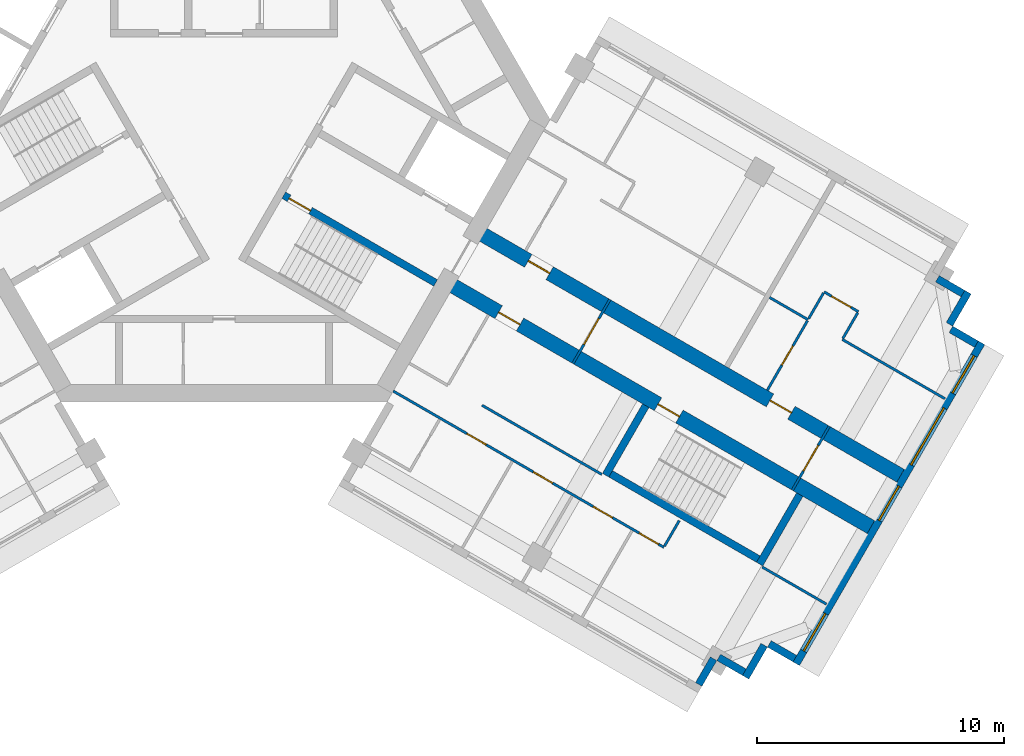
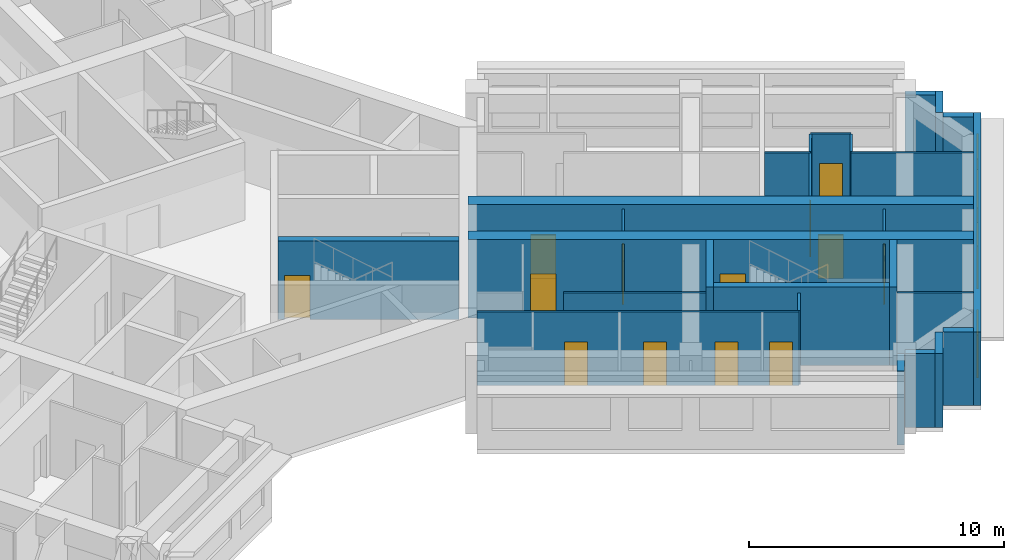
# One storey, part 5 of 10: 26 walls, 13 doors, 4 windows, 17 openings.
"""IFC4 building model written with IfcOpenShell, lengths in metres."""

from ifc_helpers import new_model, si_unit, direction, frame, frame_2d, origin, place, context, subcontext, project, spatial, rectangle, extrude, material, layer, layer_set, type_object, element, fill, save


model = new_model("IFC4")

# Units and contexts
model_context = context("Model", 3, precision=1e-05, world=origin(), true_north=direction((0.0, 1.0)))
body_context = subcontext(model_context, "Body", "Model", "MODEL_VIEW")
ifc_project = project(units=[si_unit("LENGTHUNIT", "METRE"), si_unit("AREAUNIT", "SQUARE_METRE"), si_unit("VOLUMEUNIT", "CUBIC_METRE"), si_unit("PLANEANGLEUNIT", "RADIAN"), si_unit("MASSUNIT", "GRAM", prefix="KILO")], contexts=[model_context])

# Site, building, storey
site_placement = place(None, origin())
site = spatial("IfcSite", under=ifc_project, at=site_placement, CompositionType="ELEMENT")
building_placement = place(site_placement, origin())
building = spatial("IfcBuilding", under=site, at=building_placement, Name="Impinga Residences", CompositionType="ELEMENT")
storey_placement = place(building_placement, frame((0.0, 0.0, 256.0)))
storey = spatial("IfcBuildingStorey", under=building, at=storey_placement, Name="L64", CompositionType="ELEMENT", Elevation=256.0)

# Wall, openings, doors
ifc_material_1 = material(Name="Concrete C60/75", Category="concrete")
ifc_layer_1 = layer(ifc_material_1, 0.60009765625)
ifc_layer_set_1 = layer_set([ifc_layer_1], Name="Concrete C60/75")
wall_type_1 = type_object("IfcWallType", Name="BW3 corridor buttress wall, L46 to L73 600", PredefinedType="SHEAR", material=ifc_layer_set_1)
wall_1_placement = place(storey_placement, frame((10.19677734375, -4.50146484375, 0.0), z_axis=(0.0, 0.0, 1.0), x_axis=(0.866025214745, -0.500000327426, 0.0)))
wall_1 = element("IfcWall", 1, at=wall_1_placement, inside=storey, type_object=wall_type_1, Name="Corridor wall BW3 EC L64", PredefinedType="SHEAR", context=body_context, shape_type="SweptSolid", body=[
    extrude(rectangle(XDim=19.85009765625, YDim=0.60009765625, at=frame_2d((9.925048828125, 0.0))), origin(), (0.0, 0.0, 1.0), 3.75),
])
opening_1_placement = place(wall_1_placement, frame((2.449951171875, 0.0, 0.0)))
opening_1 = element("IfcOpeningElement", 2, at=opening_1_placement, cuts=wall_1, Name="Opening D1", PredefinedType="OPENING", context=body_context, shape_type="SweptSolid", body=[
    extrude(rectangle(XDim=1.0, YDim=2.10009765625, at=frame_2d((0.5, 1.050048828125))), frame((0.0, 0.31005859375, 0.0), z_axis=(0.0, -1.0, 0.0), x_axis=(1.0, 0.0, 0.0)), (0.0, 0.0, 1.0), 0.6201171875),
])
opening_2_placement = place(wall_1_placement, frame((13.75, 0.0, 0.0)))
opening_2 = element("IfcOpeningElement", 3, at=opening_2_placement, cuts=wall_1, Name="Opening D1", PredefinedType="OPENING", context=body_context, shape_type="SweptSolid", body=[
    extrude(rectangle(XDim=1.0, YDim=2.10009765625, at=frame_2d((0.5, 1.050048828125))), frame((0.0, 0.31005859375, 0.0), z_axis=(0.0, -1.0, 0.0), x_axis=(1.0, 0.0, 0.0)), (0.0, 0.0, 1.0), 0.6201171875),
])
ifc_material_2 = material(Name="Timber door set", Category="wood")
door_type_1 = type_object("IfcDoorType", Name="D1 apartment entrance door 1000x2100", OperationType="SINGLE_SWING_LEFT", PredefinedType="DOOR", material=ifc_material_2)
door_1_placement = place(opening_1_placement, origin())
door_1 = element("IfcDoor", 4, at=door_1_placement, inside=storey, type_object=door_type_1, Name="Apartment L64-EA1 entrance", OperationType="SINGLE_SWING_LEFT", OverallHeight=2.10009765625, OverallWidth=1.0, PredefinedType="DOOR", context=body_context, shape_type="SweptSolid", body=[
    extrude(rectangle(XDim=1.0, YDim=2.10009765625, at=frame_2d((0.5, 1.050048828125))), frame((0.0, 0.02490234375, 0.0), z_axis=(0.0, -1.0, 0.0), x_axis=(1.0, 0.0, 0.0)), (0.0, 0.0, 1.0), 0.050048828125),
])
fill(opening_1, door_1)
door_2_placement = place(opening_2_placement, origin())
door_2 = element("IfcDoor", 5, at=door_2_placement, inside=storey, type_object=door_type_1, Name="Apartment L64-EA2 entrance", OperationType="SINGLE_SWING_RIGHT", OverallHeight=2.10009765625, OverallWidth=1.0, PredefinedType="DOOR", context=body_context, shape_type="SweptSolid", body=[
    extrude(rectangle(XDim=1.0, YDim=2.10009765625, at=frame_2d((0.5, 1.050048828125))), frame((0.0, 0.02490234375, 0.0), z_axis=(0.0, -1.0, 0.0), x_axis=(1.0, 0.0, 0.0)), (0.0, 0.0, 1.0), 0.050048828125),
])
fill(opening_2, door_2)

wall_2_placement = place(storey_placement, frame((8.996826171875, -6.580078125, 0.0), z_axis=(0.0, 0.0, 1.0), x_axis=(0.866030540451, -0.499991102927, 0.0)))
wall_2 = element("IfcWall", 6, at=wall_2_placement, inside=storey, type_object=wall_type_1, Name="Corridor wall BW3 ED L64", PredefinedType="SHEAR", context=body_context, shape_type="SweptSolid", body=[
    extrude(rectangle(XDim=19.849853515625, YDim=0.60009765625, at=frame_2d((9.9248046875, 0.0))), origin(), (0.0, 0.0, 1.0), 3.75),
])
opening_3_placement = place(wall_2_placement, frame((9.89990234375, 0.0, 0.0)))
opening_3 = element("IfcOpeningElement", 7, at=opening_3_placement, cuts=wall_2, Name="Opening D5", PredefinedType="OPENING", context=body_context, shape_type="SweptSolid", body=[
    extrude(rectangle(XDim=1.0, YDim=2.10009765625, at=frame_2d((0.5, 1.050048828125))), frame((0.0, 0.31005859375, 0.0), z_axis=(0.0, -1.0, 0.0), x_axis=(1.0, 0.0, 0.0)), (0.0, 0.0, 1.0), 0.6201171875),
])
opening_4_placement = place(wall_2_placement, frame((2.449951171875, 0.0, 0.0)))
opening_4 = element("IfcOpeningElement", 8, at=opening_4_placement, cuts=wall_2, Name="Opening D1", PredefinedType="OPENING", context=body_context, shape_type="SweptSolid", body=[
    extrude(rectangle(XDim=1.0, YDim=2.10009765625, at=frame_2d((0.5, 1.050048828125))), frame((0.0, 0.31005859375, 0.0), z_axis=(0.0, -1.0, 0.0), x_axis=(1.0, 0.0, 0.0)), (0.0, 0.0, 1.0), 0.6201171875),
])
door_3_placement = place(opening_4_placement, origin())
door_3 = element("IfcDoor", 9, at=door_3_placement, inside=storey, type_object=door_type_1, Name="Apartment L64-EF1 entrance", OperationType="SINGLE_SWING_LEFT", OverallHeight=2.10009765625, OverallWidth=1.0, PredefinedType="DOOR", context=body_context, shape_type="SweptSolid", body=[
    extrude(rectangle(XDim=1.0, YDim=2.10009765625, at=frame_2d((0.5, 1.050048828125))), frame((0.0, 0.02490234375, 0.0), z_axis=(0.0, -1.0, 0.0), x_axis=(1.0, 0.0, 0.0)), (0.0, 0.0, 1.0), 0.050048828125),
])
fill(opening_4, door_3)
door_type_2 = type_object("IfcDoorType", Name="D5 stair door 1000x2100", OperationType="SINGLE_SWING_LEFT", PredefinedType="DOOR", material=ifc_material_2)
door_4_placement = place(opening_3_placement, origin())
door_4 = element("IfcDoor", 10, at=door_4_placement, inside=storey, type_object=door_type_2, Name="Wing stair door E", OperationType="SINGLE_SWING_RIGHT", OverallHeight=2.10009765625, OverallWidth=1.0, PredefinedType="DOOR", context=body_context, shape_type="SweptSolid", body=[
    extrude(rectangle(XDim=1.0, YDim=2.10009765625, at=frame_2d((0.5, 1.050048828125))), frame((0.0, 0.02490234375, 0.0), z_axis=(0.0, -1.0, 0.0), x_axis=(1.0, 0.0, 0.0)), (0.0, 0.0, 1.0), 0.050048828125),
])
fill(opening_3, door_4)

# Wall, opening, door
ifc_material_3 = material(Name="Concrete blockwork", Category="masonry")
ifc_layer_2 = layer(ifc_material_3, 0.10009765625)
ifc_layer_set_2 = layer_set([ifc_layer_2], Name="CP1 core room partition, blockwork 100")
wall_type_2 = type_object("IfcWallType", Name="CP1 core room partition, blockwork 100", PredefinedType="PARTITIONING", material=ifc_layer_set_2)
wall_3_placement = place(storey_placement, frame((24.50634765625, -12.416748046875, 0.0), z_axis=(0.0, 0.0, 1.0), x_axis=(-0.499990139034, -0.866031096941, 0.0)))
wall_3 = element("IfcWall", 11, at=wall_3_placement, inside=storey, type_object=wall_type_2, Name="Core room partition, blockwork L64:E:LNG", PredefinedType="PARTITIONING", context=body_context, shape_type="SweptSolid", body=[
    extrude(rectangle(XDim=3.0, YDim=0.10009765625, at=frame_2d((1.5, 0.0))), origin(), (0.0, 0.0, 1.0), 3.530029296875),
])
opening_5_placement = place(wall_3_placement, frame((0.89990234375, 0.0, 0.0)))
opening_5 = element("IfcOpeningElement", 12, at=opening_5_placement, cuts=wall_3, Name="Opening D3", PredefinedType="OPENING", context=body_context, shape_type="SweptSolid", body=[
    extrude(rectangle(XDim=1.199951171875, YDim=2.10009765625, at=frame_2d((0.60009765625, 1.050048828125))), frame((0.0, 0.06005859375, 0.0), z_axis=(0.0, -1.0, 0.0), x_axis=(1.0, 0.0, 0.0)), (0.0, 0.0, 1.0), 0.1201171875),
])
door_type_3 = type_object("IfcDoorType", Name="D3 room door, leaf and a half 1200x2100", OperationType="DOUBLE_SWING_LEFT", PredefinedType="DOOR", material=ifc_material_2)
door_5_placement = place(opening_5_placement, origin())
door_5 = element("IfcDoor", 13, at=door_5_placement, inside=storey, type_object=door_type_3, Name="Residents' lounge door E", OperationType="DOUBLE_SWING_LEFT", OverallHeight=2.10009765625, OverallWidth=1.199951171875, PredefinedType="DOOR", context=body_context, shape_type="SweptSolid", body=[
    extrude(rectangle(XDim=1.199951171875, YDim=2.10009765625, at=frame_2d((0.60009765625, 1.050048828125))), frame((0.0, 0.02490234375, 0.0), z_axis=(0.0, -1.0, 0.0), x_axis=(1.0, 0.0, 0.0)), (0.0, 0.0, 1.0), 0.050048828125),
])
fill(opening_5, door_5)

wall_4_placement = place(storey_placement, frame((15.623046875, -7.287841796875, 0.0), z_axis=(0.0, 0.0, 1.0), x_axis=(-0.499990139034, -0.866031096941, 0.0)))
wall_4 = element("IfcWall", 14, at=wall_4_placement, inside=storey, type_object=wall_type_2, Name="Core room partition, blockwork L64:E:SCR", PredefinedType="PARTITIONING", context=body_context, shape_type="SweptSolid", body=[
    extrude(rectangle(XDim=3.0, YDim=0.10009765625, at=frame_2d((1.5, 0.0))), origin(), (0.0, 0.0, 1.0), 3.530029296875),
])
opening_6_placement = place(wall_4_placement, frame((0.89990234375, 0.0, 0.0)))
opening_6 = element("IfcOpeningElement", 15, at=opening_6_placement, cuts=wall_4, Name="Opening D3", PredefinedType="OPENING", context=body_context, shape_type="SweptSolid", body=[
    extrude(rectangle(XDim=1.199951171875, YDim=2.10009765625, at=frame_2d((0.60009765625, 1.050048828125))), frame((0.0, 0.06005859375, 0.0), z_axis=(0.0, -1.0, 0.0), x_axis=(1.0, 0.0, 0.0)), (0.0, 0.0, 1.0), 0.1201171875),
])
door_6_placement = place(opening_6_placement, origin())
door_6 = element("IfcDoor", 16, at=door_6_placement, inside=storey, type_object=door_type_3, Name="Corridor smoke door E", OperationType="DOUBLE_SWING_LEFT", OverallHeight=2.10009765625, OverallWidth=1.199951171875, PredefinedType="DOOR", context=body_context, shape_type="SweptSolid", body=[
    extrude(rectangle(XDim=1.199951171875, YDim=2.10009765625, at=frame_2d((0.60009765625, 1.050048828125))), frame((0.0, 0.02490234375, 0.0), z_axis=(0.0, -1.0, 0.0), x_axis=(1.0, 0.0, 0.0)), (0.0, 0.0, 1.0), 0.050048828125),
])
fill(opening_6, door_6)

# Walls
ifc_material_4 = material(Name="Terracotta rainscreen on blockwork", Category="masonry")
ifc_layer_3 = layer(ifc_material_4, 0.300048828125)
ifc_layer_set_3 = layer_set([ifc_layer_3], Name="EW1 external wall, terracotta rainscreen on blockwork 300")
wall_type_3 = type_object("IfcWallType", Name="EW1 external wall, terracotta rainscreen on blockwork 300", PredefinedType="SOLIDWALL", material=ifc_layer_set_3)
wall_5_placement = place(storey_placement, frame((28.878662109375, -6.453857421875, 0.0), z_axis=(0.0, 0.0, 1.0), x_axis=(0.865971243484, -0.500093796661, 0.0)))
element("IfcWall", 17, at=wall_5_placement, inside=storey, type_object=wall_type_3, Name="External wall EW1 L64", PredefinedType="SOLIDWALL", context=body_context, shape_type="SweptSolid", body=[
    extrude(rectangle(XDim=1.195068359375, YDim=0.300048828125, at=frame_2d((0.59765625, 0.0))), origin(), (0.0, 0.0, 1.0), 3.530029296875),
])
wall_6_placement = place(storey_placement, frame((30.118408203125, -6.99658203125, 0.0), z_axis=(0.0, 0.0, 1.0), x_axis=(-0.499990139034, -0.866031096941, 0.0)))
element("IfcWall", 18, at=wall_6_placement, inside=storey, type_object=wall_type_3, Name="External wall EW1 L64", PredefinedType="SOLIDWALL", context=body_context, shape_type="SweptSolid", body=[
    extrude(rectangle(XDim=1.5, YDim=0.300048828125, at=frame_2d((0.75, 0.0))), origin(), (0.0, 0.0, 1.0), 3.530029296875),
])
wall_7_placement = place(storey_placement, frame((29.427490234375, -8.5029296875, 0.0), z_axis=(0.0, 0.0, 1.0), x_axis=(0.865971243484, -0.500093796661, 0.0)))
element("IfcWall", 19, at=wall_7_placement, inside=storey, type_object=wall_type_3, Name="External wall EW1 L64", PredefinedType="SOLIDWALL", context=body_context, shape_type="SweptSolid", body=[
    extrude(rectangle(XDim=1.195068359375, YDim=0.300048828125, at=frame_2d((0.59765625, 0.0))), origin(), (0.0, 0.0, 1.0), 3.530029296875),
])

# Wall, openings, windows
wall_8_placement = place(storey_placement, frame((30.66748046875, -9.045654296875, 0.0), z_axis=(0.0, 0.0, 1.0), x_axis=(-0.500004234368, -0.866022959057, 0.0)))
wall_8 = element("IfcWall", 20, at=wall_8_placement, inside=storey, type_object=wall_type_3, Name="External wall EW1 L64", PredefinedType="SOLIDWALL", context=body_context, shape_type="SweptSolid", body=[
    extrude(rectangle(XDim=14.999755859375, YDim=0.300048828125, at=frame_2d((7.5, 0.0))), origin(), (0.0, 0.0, 1.0), 3.530029296875),
])
opening_7_placement = place(wall_8_placement, frame((0.60009765625, 0.0, 0.89990234375)))
opening_7 = element("IfcOpeningElement", 21, at=opening_7_placement, cuts=wall_8, Name="Opening W1", PredefinedType="OPENING", context=body_context, shape_type="SweptSolid", body=[
    extrude(rectangle(XDim=1.75, YDim=2.050048828125, at=frame_2d((0.875, 1.02490234375))), frame((0.0, 0.159912109375, 0.0), z_axis=(0.0, -1.0, 0.0), x_axis=(1.0, 0.0, 0.0)), (0.0, 0.0, 1.0), 0.320068359375),
])
opening_8_placement = place(wall_8_placement, frame((3.050048828125, 0.0, 0.89990234375)))
opening_8 = element("IfcOpeningElement", 22, at=opening_8_placement, cuts=wall_8, Name="Opening W18", PredefinedType="OPENING", context=body_context, shape_type="SweptSolid", body=[
    extrude(rectangle(XDim=2.64990234375, YDim=2.050048828125, at=frame_2d((1.324951171875, 1.02490234375))), frame((0.0, 0.159912109375, 0.0), z_axis=(0.0, -1.0, 0.0), x_axis=(1.0, 0.0, 0.0)), (0.0, 0.0, 1.0), 0.320068359375),
])
opening_9_placement = place(wall_8_placement, frame((6.699951171875, 0.0, 0.89990234375)))
opening_9 = element("IfcOpeningElement", 23, at=opening_9_placement, cuts=wall_8, Name="Opening W19", PredefinedType="OPENING", context=body_context, shape_type="SweptSolid", body=[
    extrude(rectangle(XDim=1.60009765625, YDim=2.050048828125, at=frame_2d((0.800048828125, 1.02490234375))), frame((0.0, 0.159912109375, 0.0), z_axis=(0.0, -1.0, 0.0), x_axis=(1.0, 0.0, 0.0)), (0.0, 0.0, 1.0), 0.320068359375),
])
opening_10_placement = place(wall_8_placement, frame((12.64990234375, 0.0, 0.89990234375)))
opening_10 = element("IfcOpeningElement", 24, at=opening_10_placement, cuts=wall_8, Name="Opening W1", PredefinedType="OPENING", context=body_context, shape_type="SweptSolid", body=[
    extrude(rectangle(XDim=1.75, YDim=2.050048828125, at=frame_2d((0.875, 1.02490234375))), frame((0.0, 0.159912109375, 0.0), z_axis=(0.0, -1.0, 0.0), x_axis=(1.0, 0.0, 0.0)), (0.0, 0.0, 1.0), 0.320068359375),
])
ifc_material_5 = material(Name="Aluminium window, clear double glazing", Category="aluminium")
window_type_1 = type_object("IfcWindowType", Name="W1 ribbon window 1750x2050", PartitioningType="SINGLE_PANEL", PredefinedType="WINDOW", material=ifc_material_5)
window_1_placement = place(opening_7_placement, origin())
window_1 = element("IfcWindow", 25, at=window_1_placement, inside=storey, type_object=window_type_1, Name="Window L64", OverallHeight=2.050048828125, OverallWidth=1.75, PartitioningType="SINGLE_PANEL", PredefinedType="WINDOW", context=body_context, shape_type="SweptSolid", body=[
    extrude(rectangle(XDim=1.75, YDim=2.050048828125, at=frame_2d((0.875, 1.02490234375))), frame((0.0, 0.030029296875, 0.0), z_axis=(0.0, -1.0, 0.0), x_axis=(1.0, 0.0, 0.0)), (0.0, 0.0, 1.0), 0.06005859375),
])
fill(opening_7, window_1)
window_2_placement = place(opening_10_placement, origin())
window_2 = element("IfcWindow", 26, at=window_2_placement, inside=storey, type_object=window_type_1, Name="Window L64", OverallHeight=2.050048828125, OverallWidth=1.75, PartitioningType="SINGLE_PANEL", PredefinedType="WINDOW", context=body_context, shape_type="SweptSolid", body=[
    extrude(rectangle(XDim=1.75, YDim=2.050048828125, at=frame_2d((0.875, 1.02490234375))), frame((0.0, 0.030029296875, 0.0), z_axis=(0.0, -1.0, 0.0), x_axis=(1.0, 0.0, 0.0)), (0.0, 0.0, 1.0), 0.06005859375),
])
fill(opening_10, window_2)
window_type_2 = type_object("IfcWindowType", Name="W18 ribbon window 2650x2050", PartitioningType="SINGLE_PANEL", PredefinedType="WINDOW", material=ifc_material_5)
window_3_placement = place(opening_8_placement, origin())
window_3 = element("IfcWindow", 27, at=window_3_placement, inside=storey, type_object=window_type_2, Name="Window L64", OverallHeight=2.050048828125, OverallWidth=2.64990234375, PartitioningType="SINGLE_PANEL", PredefinedType="WINDOW", context=body_context, shape_type="SweptSolid", body=[
    extrude(rectangle(XDim=2.64990234375, YDim=2.050048828125, at=frame_2d((1.324951171875, 1.02490234375))), frame((0.0, 0.030029296875, 0.0), z_axis=(0.0, -1.0, 0.0), x_axis=(1.0, 0.0, 0.0)), (0.0, 0.0, 1.0), 0.06005859375),
])
fill(opening_8, window_3)
window_type_3 = type_object("IfcWindowType", Name="W19 ribbon window 1600x2050", PartitioningType="SINGLE_PANEL", PredefinedType="WINDOW", material=ifc_material_5)
window_4_placement = place(opening_9_placement, origin())
window_4 = element("IfcWindow", 28, at=window_4_placement, inside=storey, type_object=window_type_3, Name="Window L64", OverallHeight=2.050048828125, OverallWidth=1.60009765625, PartitioningType="SINGLE_PANEL", PredefinedType="WINDOW", context=body_context, shape_type="SweptSolid", body=[
    extrude(rectangle(XDim=1.60009765625, YDim=2.050048828125, at=frame_2d((0.800048828125, 1.02490234375))), frame((0.0, 0.030029296875, 0.0), z_axis=(0.0, -1.0, 0.0), x_axis=(1.0, 0.0, 0.0)), (0.0, 0.0, 1.0), 0.06005859375),
])
fill(opening_9, window_4)

# Walls
wall_9_placement = place(storey_placement, frame((23.112548828125, -21.8310546875, 0.0), z_axis=(0.0, 0.0, 1.0), x_axis=(-0.866059708757, 0.499940577336, 0.0)))
element("IfcWall", 29, at=wall_9_placement, inside=storey, type_object=wall_type_3, Name="External wall EW1 L64", PredefinedType="SOLIDWALL", context=body_context, shape_type="SweptSolid", body=[
    extrude(rectangle(XDim=1.195068359375, YDim=0.300048828125, at=frame_2d((0.59765625, 0.0))), origin(), (0.0, 0.0, 1.0), 3.530029296875),
])
wall_10_placement = place(storey_placement, frame((21.868408203125, -21.285888671875, 0.0), z_axis=(0.0, 0.0, 1.0), x_axis=(-0.499990139034, -0.866031096941, 0.0)))
element("IfcWall", 30, at=wall_10_placement, inside=storey, type_object=wall_type_3, Name="External wall EW1 L64", PredefinedType="SOLIDWALL", context=body_context, shape_type="SweptSolid", body=[
    extrude(rectangle(XDim=1.5, YDim=0.300048828125, at=frame_2d((0.75, 0.0))), origin(), (0.0, 0.0, 1.0), 3.530029296875),
])
wall_11_placement = place(storey_placement, frame((21.0634765625, -22.380126953125, 0.0), z_axis=(0.0, 0.0, 1.0), x_axis=(-0.865971243484, 0.500093796661, 0.0)))
element("IfcWall", 31, at=wall_11_placement, inside=storey, type_object=wall_type_3, Name="External wall EW1 L64", PredefinedType="SOLIDWALL", context=body_context, shape_type="SweptSolid", body=[
    extrude(rectangle(XDim=1.195068359375, YDim=0.300048828125, at=frame_2d((0.59765625, 0.0))), origin(), (0.0, 0.0, 1.0), 3.530029296875),
])
wall_12_placement = place(storey_placement, frame((19.8193359375, -21.8349609375, 0.0), z_axis=(0.0, 0.0, 1.0), x_axis=(-0.500033551112, -0.866006032174, 0.0)))
element("IfcWall", 32, at=wall_12_placement, inside=storey, type_object=wall_type_3, Name="External wall EW1 L64", PredefinedType="SOLIDWALL", context=body_context, shape_type="SweptSolid", body=[
    extrude(rectangle(XDim=1.2001953125, YDim=0.300048828125, at=frame_2d((0.60009765625, 0.0))), origin(), (0.0, 0.0, 1.0), 3.530029296875),
])
ifc_material_6 = material(Name="Gypsum board on steel studs", Category="steel")
ifc_layer_4 = layer(ifc_material_6, 0.10009765625)
ifc_layer_set_4 = layer_set([ifc_layer_4], Name="Gypsum board on steel studs")
wall_type_4 = type_object("IfcWallType", Name="IP1 partition 100", PredefinedType="PARTITIONING", material=ifc_layer_set_4)
wall_13_placement = place(storey_placement, frame((22.086181640625, -7.208740234375, 0.0), z_axis=(0.0, 0.0, 1.0), x_axis=(0.865989075817, -0.500062916607, 0.0)))
element("IfcWall", 33, at=wall_13_placement, inside=storey, type_object=wall_type_4, Name="Partition L64-EA2:DIV0", PredefinedType="PARTITIONING", context=body_context, shape_type="SweptSolid", body=[
    extrude(rectangle(XDim=1.800048828125, YDim=0.10009765625, at=frame_2d((0.89990234375, 0.0))), origin(), (0.0, 0.0, 1.0), 3.530029296875),
])
wall_14_placement = place(storey_placement, frame((25.030517578125, -8.908935546875, 0.0), z_axis=(0.0, 0.0, 1.0), x_axis=(0.866037363387, -0.499979284789, 0.0)))
element("IfcWall", 34, at=wall_14_placement, inside=storey, type_object=wall_type_4, Name="Partition L64-EA2:DIV1", PredefinedType="PARTITIONING", context=body_context, shape_type="SweptSolid", body=[
    extrude(rectangle(XDim=4.800048828125, YDim=0.10009765625, at=frame_2d((2.39990234375, 0.0))), origin(), (0.0, 0.0, 1.0), 3.530029296875),
])

# Wall, opening, door
wall_15_placement = place(storey_placement, frame((24.294921875, -6.98291015625, 0.0), z_axis=(0.0, 0.0, 1.0), x_axis=(0.866028054938, -0.499995408039, 0.0)))
wall_15 = element("IfcWall", 35, at=wall_15_placement, inside=storey, type_object=wall_type_4, Name="Partition L64-EA2:STRIP", PredefinedType="PARTITIONING", context=body_context, shape_type="SweptSolid", body=[
    extrude(rectangle(XDim=1.60009765625, YDim=0.10009765625, at=frame_2d((0.800048828125, 0.0))), origin(), (0.0, 0.0, 1.0), 3.530029296875),
])
opening_11_placement = place(wall_15_placement, frame((0.35009765625, 0.0, 0.0)))
opening_11 = element("IfcOpeningElement", 36, at=opening_11_placement, cuts=wall_15, Name="Opening D2", PredefinedType="OPENING", context=body_context, shape_type="SweptSolid", body=[
    extrude(rectangle(XDim=0.89990234375, YDim=2.10009765625, at=frame_2d((0.449951171875, 1.050048828125))), frame((0.0, 0.06005859375, 0.0), z_axis=(0.0, -1.0, 0.0), x_axis=(1.0, 0.0, 0.0)), (0.0, 0.0, 1.0), 0.1201171875),
])
door_type_4 = type_object("IfcDoorType", Name="D2 internal door 900x2100", OperationType="SINGLE_SWING_LEFT", PredefinedType="DOOR", material=ifc_material_2)
door_7_placement = place(opening_11_placement, origin())
door_7 = element("IfcDoor", 37, at=door_7_placement, inside=storey, type_object=door_type_4, Name="Apartment L64-EA2 room door", OperationType="SINGLE_SWING_LEFT", OverallHeight=2.10009765625, OverallWidth=0.89990234375, PredefinedType="DOOR", context=body_context, shape_type="SweptSolid", body=[
    extrude(rectangle(XDim=0.89990234375, YDim=2.10009765625, at=frame_2d((0.449951171875, 1.050048828125))), frame((0.0, 0.02490234375, 0.0), z_axis=(0.0, -1.0, 0.0), x_axis=(1.0, 0.0, 0.0)), (0.0, 0.0, 1.0), 0.050048828125),
])
fill(opening_11, door_7)

# Walls
wall_16_placement = place(storey_placement, frame((23.669921875, -8.0654296875, 0.0), z_axis=(0.0, 0.0, 1.0), x_axis=(0.50012165622, 0.865955154139, 0.0)))
element("IfcWall", 38, at=wall_16_placement, inside=storey, type_object=wall_type_4, Name="Partition L64-EA2:SE0", PredefinedType="PARTITIONING", context=body_context, shape_type="SweptSolid", body=[
    extrude(rectangle(XDim=1.199951171875, YDim=0.10009765625, at=frame_2d((0.60009765625, 0.0))), origin(), (0.0, 0.0, 1.0), 3.530029296875),
])
wall_17_placement = place(storey_placement, frame((25.0556640625, -8.865478515625, 0.0), z_axis=(0.0, 0.0, 1.0), x_axis=(0.499969057507, 0.866043267704, 0.0)))
element("IfcWall", 39, at=wall_17_placement, inside=storey, type_object=wall_type_4, Name="Partition L64-EA2:SE1", PredefinedType="PARTITIONING", context=body_context, shape_type="SweptSolid", body=[
    extrude(rectangle(XDim=1.19970703125, YDim=0.10009765625, at=frame_2d((0.599853515625, 0.0))), origin(), (0.0, 0.0, 1.0), 3.530029296875),
])

# Wall, opening, door
wall_18_placement = place(storey_placement, frame((21.994873046875, -10.966796875, 0.0), z_axis=(0.0, 0.0, 1.0), x_axis=(0.499984717929, 0.866034226713, 0.0)))
wall_18 = element("IfcWall", 40, at=wall_18_placement, inside=storey, type_object=wall_type_4, Name="Partition L64-EA2:IB1", PredefinedType="PARTITIONING", context=body_context, shape_type="SweptSolid", body=[
    extrude(rectangle(XDim=3.25, YDim=0.10009765625, at=frame_2d((1.625, 0.0))), origin(), (0.0, 0.0, 1.0), 3.530029296875),
])
opening_12_placement = place(wall_18_placement, frame((1.175048828125, 0.0, 0.0)))
opening_12 = element("IfcOpeningElement", 41, at=opening_12_placement, cuts=wall_18, Name="Opening D2", PredefinedType="OPENING", context=body_context, shape_type="SweptSolid", body=[
    extrude(rectangle(XDim=0.89990234375, YDim=2.10009765625, at=frame_2d((0.449951171875, 1.050048828125))), frame((0.0, 0.06005859375, 0.0), z_axis=(0.0, -1.0, 0.0), x_axis=(1.0, 0.0, 0.0)), (0.0, 0.0, 1.0), 0.1201171875),
])
door_8_placement = place(opening_12_placement, origin())
door_8 = element("IfcDoor", 42, at=door_8_placement, inside=storey, type_object=door_type_4, Name="Apartment L64-EA2 bathroom door", OperationType="SINGLE_SWING_LEFT", OverallHeight=2.10009765625, OverallWidth=0.89990234375, PredefinedType="DOOR", context=body_context, shape_type="SweptSolid", body=[
    extrude(rectangle(XDim=0.89990234375, YDim=2.10009765625, at=frame_2d((0.449951171875, 1.050048828125))), frame((0.0, 0.02490234375, 0.0), z_axis=(0.0, -1.0, 0.0), x_axis=(1.0, 0.0, 0.0)), (0.0, 0.0, 1.0), 0.050048828125),
])
fill(opening_12, door_8)

# Walls
wall_19_placement = place(storey_placement, frame((10.444580078125, -11.57275390625, 0.0), z_axis=(0.0, 0.0, 1.0), x_axis=(0.866015695474, -0.500016814911, 0.0)))
element("IfcWall", 43, at=wall_19_placement, inside=storey, type_object=wall_type_4, Name="Partition L64-EF1:DIV1", PredefinedType="PARTITIONING", context=body_context, shape_type="SweptSolid", body=[
    extrude(rectangle(XDim=5.599853515625, YDim=0.10009765625, at=frame_2d((2.7998046875, 0.0))), origin(), (0.0, 0.0, 1.0), 3.530029296875),
])
wall_20_placement = place(storey_placement, frame((21.789306640625, -18.122802734375, 0.0), z_axis=(0.0, 0.0, 1.0), x_axis=(0.866031096941, -0.499990139034, 0.0)))
element("IfcWall", 44, at=wall_20_placement, inside=storey, type_object=wall_type_4, Name="Partition L64-EF1:DIV2", PredefinedType="PARTITIONING", context=body_context, shape_type="SweptSolid", body=[
    extrude(rectangle(XDim=3.0, YDim=0.10009765625, at=frame_2d((1.5, 0.0))), origin(), (0.0, 0.0, 1.0), 3.530029296875),
])

# Wall, openings, doors
wall_21_placement = place(storey_placement, frame((6.85009765625, -10.99853515625, 0.0), z_axis=(0.0, 0.0, 1.0), x_axis=(0.866024244478, -0.500002007972, 0.0)))
wall_21 = element("IfcWall", 45, at=wall_21_placement, inside=storey, type_object=wall_type_4, Name="Partition L64-EF1:STRIP", PredefinedType="PARTITIONING", context=body_context, shape_type="SweptSolid", body=[
    extrude(rectangle(XDim=12.64990234375, YDim=0.10009765625, at=frame_2d((6.324951171875, 0.0))), origin(), (0.0, 0.0, 1.0), 3.530029296875),
])
opening_13_placement = place(wall_21_placement, frame((3.449951171875, 0.0, 0.0)))
opening_13 = element("IfcOpeningElement", 46, at=opening_13_placement, cuts=wall_21, Name="Opening D2", PredefinedType="OPENING", context=body_context, shape_type="SweptSolid", body=[
    extrude(rectangle(XDim=0.89990234375, YDim=2.10009765625, at=frame_2d((0.449951171875, 1.050048828125))), frame((0.0, 0.06005859375, 0.0), z_axis=(0.0, -1.0, 0.0), x_axis=(1.0, 0.0, 0.0)), (0.0, 0.0, 1.0), 0.1201171875),
])
opening_14_placement = place(wall_21_placement, frame((6.550048828125, 0.0, 0.0)))
opening_14 = element("IfcOpeningElement", 47, at=opening_14_placement, cuts=wall_21, Name="Opening D2", PredefinedType="OPENING", context=body_context, shape_type="SweptSolid", body=[
    extrude(rectangle(XDim=0.89990234375, YDim=2.10009765625, at=frame_2d((0.449951171875, 1.050048828125))), frame((0.0, 0.06005859375, 0.0), z_axis=(0.0, -1.0, 0.0), x_axis=(1.0, 0.0, 0.0)), (0.0, 0.0, 1.0), 0.1201171875),
])
opening_15_placement = place(wall_21_placement, frame((9.35009765625, 0.0, 0.0)))
opening_15 = element("IfcOpeningElement", 48, at=opening_15_placement, cuts=wall_21, Name="Opening D2", PredefinedType="OPENING", context=body_context, shape_type="SweptSolid", body=[
    extrude(rectangle(XDim=0.89990234375, YDim=2.10009765625, at=frame_2d((0.449951171875, 1.050048828125))), frame((0.0, 0.06005859375, 0.0), z_axis=(0.0, -1.0, 0.0), x_axis=(1.0, 0.0, 0.0)), (0.0, 0.0, 1.0), 0.1201171875),
])
opening_16_placement = place(wall_21_placement, frame((11.5, 0.0, 0.0)))
opening_16 = element("IfcOpeningElement", 49, at=opening_16_placement, cuts=wall_21, Name="Opening D2", PredefinedType="OPENING", context=body_context, shape_type="SweptSolid", body=[
    extrude(rectangle(XDim=0.89990234375, YDim=2.10009765625, at=frame_2d((0.449951171875, 1.050048828125))), frame((0.0, 0.06005859375, 0.0), z_axis=(0.0, -1.0, 0.0), x_axis=(1.0, 0.0, 0.0)), (0.0, 0.0, 1.0), 0.1201171875),
])
door_9_placement = place(opening_13_placement, origin())
door_9 = element("IfcDoor", 50, at=door_9_placement, inside=storey, type_object=door_type_4, Name="Apartment L64-EF1 room door", OperationType="SINGLE_SWING_LEFT", OverallHeight=2.10009765625, OverallWidth=0.89990234375, PredefinedType="DOOR", context=body_context, shape_type="SweptSolid", body=[
    extrude(rectangle(XDim=0.89990234375, YDim=2.10009765625, at=frame_2d((0.449951171875, 1.050048828125))), frame((0.0, 0.02490234375, 0.0), z_axis=(0.0, -1.0, 0.0), x_axis=(1.0, 0.0, 0.0)), (0.0, 0.0, 1.0), 0.050048828125),
])
fill(opening_13, door_9)
door_10_placement = place(opening_14_placement, origin())
door_10 = element("IfcDoor", 51, at=door_10_placement, inside=storey, type_object=door_type_4, Name="Apartment L64-EF1 room door", OperationType="SINGLE_SWING_RIGHT", OverallHeight=2.10009765625, OverallWidth=0.89990234375, PredefinedType="DOOR", context=body_context, shape_type="SweptSolid", body=[
    extrude(rectangle(XDim=0.89990234375, YDim=2.10009765625, at=frame_2d((0.449951171875, 1.050048828125))), frame((0.0, 0.02490234375, 0.0), z_axis=(0.0, -1.0, 0.0), x_axis=(1.0, 0.0, 0.0)), (0.0, 0.0, 1.0), 0.050048828125),
])
fill(opening_14, door_10)
door_11_placement = place(opening_15_placement, origin())
door_11 = element("IfcDoor", 52, at=door_11_placement, inside=storey, type_object=door_type_4, Name="Apartment L64-EF1 room door", OperationType="SINGLE_SWING_RIGHT", OverallHeight=2.10009765625, OverallWidth=0.89990234375, PredefinedType="DOOR", context=body_context, shape_type="SweptSolid", body=[
    extrude(rectangle(XDim=0.89990234375, YDim=2.10009765625, at=frame_2d((0.449951171875, 1.050048828125))), frame((0.0, 0.02490234375, 0.0), z_axis=(0.0, -1.0, 0.0), x_axis=(1.0, 0.0, 0.0)), (0.0, 0.0, 1.0), 0.050048828125),
])
fill(opening_15, door_11)
door_12_placement = place(opening_16_placement, origin())
door_12 = element("IfcDoor", 53, at=door_12_placement, inside=storey, type_object=door_type_4, Name="Apartment L64-EF1 room door", OperationType="SINGLE_SWING_RIGHT", OverallHeight=2.10009765625, OverallWidth=0.89990234375, PredefinedType="DOOR", context=body_context, shape_type="SweptSolid", body=[
    extrude(rectangle(XDim=0.89990234375, YDim=2.10009765625, at=frame_2d((0.449951171875, 1.050048828125))), frame((0.0, 0.02490234375, 0.0), z_axis=(0.0, -1.0, 0.0), x_axis=(1.0, 0.0, 0.0)), (0.0, 0.0, 1.0), 0.050048828125),
])
fill(opening_16, door_12)

# Walls
wall_22_placement = place(storey_placement, frame((18.43017578125, -16.240966796875, 0.0), z_axis=(0.0, 0.0, 1.0), x_axis=(-0.499880961361, -0.866094119867, 0.0)))
element("IfcWall", 54, at=wall_22_placement, inside=storey, type_object=wall_type_4, Name="Partition L64-EF1:SE1", PredefinedType="PARTITIONING", context=body_context, shape_type="SweptSolid", body=[
    extrude(rectangle(XDim=1.199951171875, YDim=0.10009765625, at=frame_2d((0.60009765625, 0.0))), origin(), (0.0, 0.0, 1.0), 3.530029296875),
])
ifc_layer_5 = layer(ifc_material_1, 0.300048828125)
ifc_layer_set_5 = layer_set([ifc_layer_5], Name="Concrete C60/75")
wall_type_5 = type_object("IfcWallType", Name="SE1 wing stair enclosure wall 300", PredefinedType="SOLIDWALL", material=ifc_layer_set_5)
for number, where, z_axis, x_axis, name in (
    (55, (17.07421875, -11.58984375, 0.0), (0.0, 0.0, 1.0), (-0.500017246033, -0.866015446554, 0.0), "Stair enclosure wall SE1 E END0 L64"),
    (56, (23.3095703125, -15.189697265625, 0.0), (0.0, 0.0, 1.0), (-0.499984717929, -0.866034226713, 0.0), "Stair enclosure wall SE1 E END1 L64"),
):
    element("IfcWall", number, at=place(storey_placement, frame(where, z_axis=z_axis, x_axis=x_axis)), inside=storey, type_object=wall_type_5, Name=name, PredefinedType="SOLIDWALL", context=body_context, shape_type="SweptSolid", body=[
        extrude(rectangle(XDim=3.25, YDim=0.300048828125, at=frame_2d((1.625, 0.0))), origin(), (0.0, 0.0, 1.0), 3.75),
    ])
wall_23_placement = place(storey_placement, frame((15.654052734375, -14.349365234375, 0.0), z_axis=(0.0, 0.0, 1.0), x_axis=(0.866013532718, -0.500020560727, 0.0)))
element("IfcWall", 57, at=wall_23_placement, inside=storey, type_object=wall_type_5, Name="Stair enclosure wall SE1 E OUT L64", PredefinedType="SOLIDWALL", context=body_context, shape_type="SweptSolid", body=[
    extrude(rectangle(XDim=6.900146484375, YDim=0.300048828125, at=frame_2d((3.4501953125, 0.0))), origin(), (0.0, 0.0, 1.0), 3.75),
])

# Wall, opening, door
ifc_material_7 = material(Name="Concrete C70/85", Category="concrete")
ifc_layer_6 = layer(ifc_material_7, 0.300048828125)
ifc_layer_set_6 = layer_set([ifc_layer_6], Name="Concrete C70/85")
wall_type_6 = type_object("IfcWallType", Name="SW5 core inner wall, stairs, shafts and lobbies 300", PredefinedType="SHEAR", material=ifc_layer_set_6)
wall_24_placement = place(storey_placement, frame((2.418701171875, -3.07080078125, 0.0), z_axis=(0.0, 0.0, 1.0), x_axis=(0.866025859768, -0.499999210213, 0.0)))
wall_24 = element("IfcWall", 58, at=wall_24_placement, inside=storey, type_object=wall_type_6, Name="Core wall SW5 E:ST-IN L64", PredefinedType="SHEAR", context=body_context, shape_type="SweptSolid", body=[
    extrude(rectangle(XDim=7.1015625, YDim=0.300048828125, at=frame_2d((3.55078125, 0.0))), origin(), (0.0, 0.0, 1.0), 3.75),
])
opening_17_placement = place(wall_24_placement, frame((0.25, 0.0, 0.0)))
opening_17 = element("IfcOpeningElement", 59, at=opening_17_placement, cuts=wall_24, Name="Opening D5", PredefinedType="OPENING", context=body_context, shape_type="SweptSolid", body=[
    extrude(rectangle(XDim=1.0, YDim=2.10009765625, at=frame_2d((0.5, 1.050048828125))), frame((0.0, 0.159912109375, 0.0), z_axis=(0.0, -1.0, 0.0), x_axis=(1.0, 0.0, 0.0)), (0.0, 0.0, 1.0), 0.320068359375),
])
door_13_placement = place(opening_17_placement, origin())
door_13 = element("IfcDoor", 60, at=door_13_placement, inside=storey, type_object=door_type_2, Name="Stair door E", OperationType="SINGLE_SWING_LEFT", OverallHeight=2.10009765625, OverallWidth=1.0, PredefinedType="DOOR", context=body_context, shape_type="SweptSolid", body=[
    extrude(rectangle(XDim=1.0, YDim=2.10009765625, at=frame_2d((0.5, 1.050048828125))), frame((0.0, 0.02490234375, 0.0), z_axis=(0.0, -1.0, 0.0), x_axis=(1.0, 0.0, 0.0)), (0.0, 0.0, 1.0), 0.050048828125),
])
fill(opening_17, door_13)

save(model, "model.ifc")
